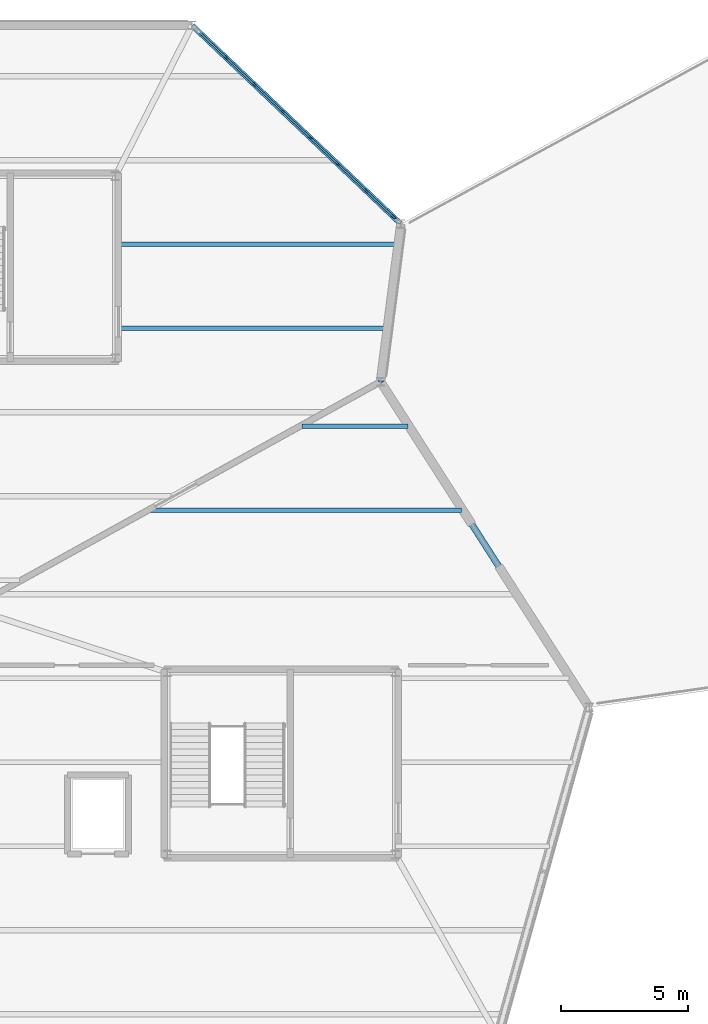
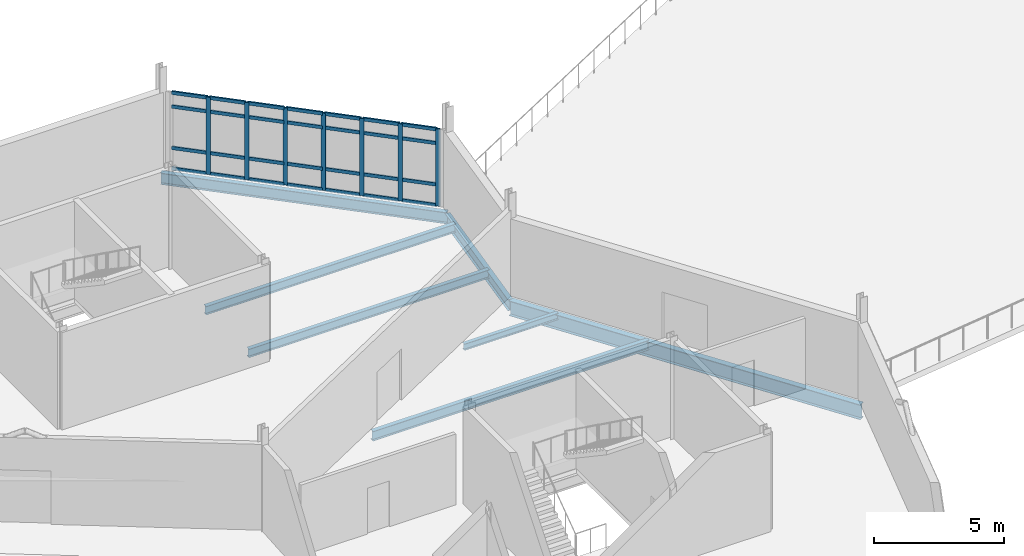
# One storey, part 43 of 76: 35 members, 7 beams, 1 element without a shape of its own.
"""IFC4 building model written with IfcOpenShell, lengths in metres."""

from ifc_helpers import new_model, si_unit, direction, frame, origin, origin_2d, place, context, subcontext, project, spatial, rectangle, i_section, extrude, material, material_profile, profile_set, type_object, element, aggregate, save


model = new_model("IFC4")

# Units and contexts
model_context = context("Model", 3, precision=1e-05, world=origin(), true_north=direction((0.0, 1.0)))
body_context = subcontext(model_context, "Body", "Model", "MODEL_VIEW")
ifc_project = project(units=[si_unit("LENGTHUNIT", "METRE"), si_unit("AREAUNIT", "SQUARE_METRE"), si_unit("VOLUMEUNIT", "CUBIC_METRE"), si_unit("PLANEANGLEUNIT", "RADIAN"), si_unit("MASSUNIT", "GRAM", prefix="KILO")], contexts=[model_context])

# Site, building, storey
site_placement = place(None, origin())
site = spatial("IfcSite", under=ifc_project, at=site_placement, CompositionType="ELEMENT")
building_placement = place(site_placement, origin())
building = spatial("IfcBuilding", under=site, at=building_placement, Name="Tameran Prism Museum", CompositionType="ELEMENT")
storey_placement = place(building_placement, frame((0.0, 0.0, 15.0)))
storey = spatial("IfcBuildingStorey", under=building, at=storey_placement, Name="L03", CompositionType="ELEMENT", Elevation=15.0)

# Beams
ifc_material_1 = material(Name="Steel Grade 300PLUS (300 MPa)", Category="steel")
ifc_material_profile_1 = material_profile(ifc_material_1, i_section(OverallWidth=0.1650390625, OverallDepth=0.303955078125, WebThickness=0.006103515625, FlangeThickness=0.01025390625, FilletRadius=0.011474609375, at=origin_2d()))
ifc_profile_set_1 = profile_set([ifc_material_profile_1])
beam_type_1 = type_object("IfcBeamType", Name="BM-J310B", PredefinedType="JOIST", material=ifc_profile_set_1)
beam_1_placement = place(storey_placement, frame((131.81689453125, 96.25, -0.35205078125), z_axis=(1.0, 0.0, 0.0), x_axis=(0.0, 1.0, 0.0)))
element("IfcBeam", 1, at=beam_1_placement, inside=storey, type_object=beam_type_1, Name="Floor Beam BM-1072", PredefinedType="JOIST", context=body_context, shape_type="SweptSolid", body=[
    extrude(i_section(OverallWidth=0.1650390625, OverallDepth=0.303955078125, WebThickness=0.006103515625, FlangeThickness=0.01025390625, FilletRadius=0.011474609375, at=origin_2d()), origin(), (0.0, 0.0, 1.0), 4.1572265625),
])
ifc_material_2 = material(Name="Steel Grade 300PLUS (300 MPa)", Category="steel")
ifc_material_profile_2 = material_profile(ifc_material_2, i_section(OverallWidth=0.177978515625, OverallDepth=0.403076171875, WebThickness=0.007568359375, FlangeThickness=0.010986328125, FilletRadius=0.011474609375, at=origin_2d()))
ifc_profile_set_2 = profile_set([ifc_material_profile_2])
beam_type_2 = type_object("IfcBeamType", Name="BM-J410B", PredefinedType="JOIST", material=ifc_profile_set_2)
beam_2_placement = place(storey_placement, frame((124.47998046875, 100.10009765625, -0.401611328125), z_axis=(1.0, 0.0, 0.0), x_axis=(0.0, 1.0, 0.0)))
element("IfcBeam", 2, at=beam_2_placement, inside=storey, type_object=beam_type_2, Name="Floor Beam BM-1077", PredefinedType="JOIST", context=body_context, shape_type="SweptSolid", body=[
    extrude(i_section(OverallWidth=0.177978515625, OverallDepth=0.403076171875, WebThickness=0.007568359375, FlangeThickness=0.010986328125, FilletRadius=0.011474609375, at=origin_2d()), origin(), (0.0, 0.0, 1.0), 10.651123046875),
])
beam_3_placement = place(storey_placement, frame((124.47998046875, 103.39990234375, -0.401611328125), z_axis=(1.0, 0.0, 0.0), x_axis=(0.0, 1.0, 0.0)))
element("IfcBeam", 3, at=beam_3_placement, inside=storey, type_object=beam_type_2, Name="Floor Beam BM-1079", PredefinedType="JOIST", context=body_context, shape_type="SweptSolid", body=[
    extrude(i_section(OverallWidth=0.177978515625, OverallDepth=0.403076171875, WebThickness=0.007568359375, FlangeThickness=0.010986328125, FilletRadius=0.011474609375, at=origin_2d()), origin(), (0.0, 0.0, 1.0), 11.075927734375),
])
ifc_material_3 = material(Name="Steel Grade 300PLUS (300 MPa)", Category="steel")
ifc_material_profile_3 = material_profile(ifc_material_3, i_section(OverallWidth=0.18994140625, OverallDepth=0.4541015625, WebThickness=0.008544921875, FlangeThickness=0.0126953125, FilletRadius=0.011474609375, at=origin_2d()))
ifc_profile_set_3 = profile_set([ifc_material_profile_3])
beam_type_3 = type_object("IfcBeamType", Name="BM-J460B", PredefinedType="JOIST", material=ifc_profile_set_3)
beam_4_placement = place(storey_placement, frame((125.846923828125, 92.949951171875, -0.427001953125), z_axis=(1.0, 0.0, 0.0), x_axis=(0.0, 1.0, 0.0)))
element("IfcBeam", 4, at=beam_4_placement, inside=storey, type_object=beam_type_3, Name="Floor Beam BM-1071", PredefinedType="JOIST", context=body_context, shape_type="SweptSolid", body=[
    extrude(i_section(OverallWidth=0.18994140625, OverallDepth=0.4541015625, WebThickness=0.008544921875, FlangeThickness=0.0126953125, FilletRadius=0.011474609375, at=origin_2d()), origin(), (0.0, 0.0, 1.0), 12.240966796875),
])
ifc_material_4 = material(Name="Steel Grade 300PLUS (300 MPa)", Category="steel")
ifc_material_profile_4 = material_profile(ifc_material_4, i_section(OverallWidth=0.208984375, OverallDepth=0.532958984375, WebThickness=0.01025390625, FlangeThickness=0.015625, FilletRadius=0.013916015625, at=origin_2d()))
ifc_profile_set_4 = profile_set([ifc_material_profile_4])
beam_type_4 = type_object("IfcBeamType", Name="BM-SP530A", PredefinedType="SPANDREL", material=ifc_profile_set_4)
beam_5_placement = place(storey_placement, frame((135.699951171875, 104.199951171875, -0.466552734375), z_axis=(-0.724553857676, 0.689218185575, 0.0), x_axis=(-0.689218185575, -0.724553857676, 0.0)))
element("IfcBeam", 5, at=beam_5_placement, inside=storey, type_object=beam_type_4, Name="Perimeter Spandrel SP-0951", PredefinedType="SPANDREL", context=body_context, shape_type="SweptSolid", body=[
    extrude(i_section(OverallWidth=0.208984375, OverallDepth=0.532958984375, WebThickness=0.01025390625, FlangeThickness=0.015625, FilletRadius=0.013916015625, at=origin_2d()), origin(), (0.0, 0.0, 1.0), 11.317138671875),
])
ifc_material_5 = material(Name="Steel Grade 300PLUS (300 MPa)", Category="steel")
ifc_material_profile_5 = material_profile(ifc_material_5, i_section(OverallWidth=0.208984375, OverallDepth=0.528076171875, WebThickness=0.009521484375, FlangeThickness=0.01318359375, FilletRadius=0.013916015625, at=origin_2d()))
ifc_profile_set_5 = profile_set([ifc_material_profile_5])
beam_type_5 = type_object("IfcBeamType", Name="BM-SP530B", PredefinedType="SPANDREL", material=ifc_profile_set_5)
beam_6_placement = place(storey_placement, frame((134.89990234375, 98.0, -0.5439453125), z_axis=(0.127980011854, 0.991776747341, 0.0), x_axis=(-0.991776747341, 0.127980011854, 0.0)))
element("IfcBeam", 6, at=beam_6_placement, inside=storey, type_object=beam_type_5, Name="Perimeter Spandrel SP-0950", PredefinedType="SPANDREL", context=body_context, shape_type="SweptSolid", body=[
    extrude(i_section(OverallWidth=0.208984375, OverallDepth=0.528076171875, WebThickness=0.009521484375, FlangeThickness=0.01318359375, FilletRadius=0.013916015625, at=origin_2d()), origin(), (0.0, 0.0, 1.0), 6.25146484375),
])
ifc_material_6 = material(Name="Steel Grade 350 (350 MPa)", Category="steel")
ifc_material_profile_6 = material_profile(ifc_material_6, i_section(OverallWidth=0.25, OverallDepth=0.699951171875, WebThickness=0.010009765625, FlangeThickness=0.02001953125, at=origin_2d()))
ifc_profile_set_6 = profile_set([ifc_material_profile_6])
beam_type_6 = type_object("IfcBeamType", Name="BM-SP700", PredefinedType="SPANDREL", material=ifc_profile_set_6)
beam_7_placement = place(storey_placement, frame((143.10009765625, 85.199951171875, -0.6298828125), z_axis=(-0.539434641352, 0.842027474439, 0.0), x_axis=(-0.842027474439, -0.539434641352, 0.0)))
element("IfcBeam", 7, at=beam_7_placement, inside=storey, type_object=beam_type_6, Name="Perimeter Spandrel SP-0948", PredefinedType="SPANDREL", context=body_context, shape_type="SweptSolid", body=[
    extrude(i_section(OverallWidth=0.25, OverallDepth=0.699951171875, WebThickness=0.010009765625, FlangeThickness=0.02001953125, at=origin_2d()), origin(), (0.0, 0.0, 1.0), 15.201416015625),
])

# Curtain wall, members
ifc_material_7 = material(Name="Anodised Aluminium 6063-T6 and Cyclone Solar Glass", Category="aluminium")
curtain_wall_type = type_object("IfcCurtainWallType", Name="CW-FAC-1062x362", PredefinedType="USERDEFINED", material=ifc_material_7)
curtain_wall_placement = place(storey_placement, origin())
curtain_wall = element("IfcCurtainWall", 8, at=curtain_wall_placement, inside=storey, type_object=curtain_wall_type, Name="Unitised Curtain Wall CW-132", ObjectType="UNITISED CURTAIN WALL", PredefinedType="USERDEFINED")
ifc_material_8 = material(Name="Anodised Aluminium Alloy 6063-T6", Category="aluminium")
ifc_material_profile_7 = material_profile(ifc_material_8, rectangle(XDim=0.070068359375, YDim=0.179931640625, at=origin_2d()))
ifc_profile_set_7 = profile_set([ifc_material_profile_7])
member_type_1 = type_object("IfcMemberType", Name="CW-MUL-B", PredefinedType="MULLION", material=ifc_profile_set_7)
member_1_placement = place(storey_placement, frame((128.852783203125, 110.713623046875, 0.0), z_axis=(0.0, 0.0, 1.0), x_axis=(0.689274065662, 0.724500698692, 0.0)))
member_1 = element("IfcMember", 9, at=member_1_placement, type_object=member_type_1, Name="CW-132 mullion 2", PredefinedType="MULLION", context=body_context, shape_type="SweptSolid", body=[
    extrude(rectangle(XDim=0.070068359375, YDim=0.179931640625, at=origin_2d()), origin(), (0.0, 0.0, 1.0), 3.6201171875),
])
member_2_placement = place(storey_placement, frame((129.95166015625, 109.668212890625, 0.0), z_axis=(0.0, 0.0, 1.0), x_axis=(0.689274065662, 0.724500698692, 0.0)))
member_2 = element("IfcMember", 10, at=member_2_placement, type_object=member_type_1, Name="CW-132 mullion 3", PredefinedType="MULLION", context=body_context, shape_type="SweptSolid", body=[
    extrude(rectangle(XDim=0.070068359375, YDim=0.179931640625, at=origin_2d()), origin(), (0.0, 0.0, 1.0), 3.6201171875),
])
member_3_placement = place(storey_placement, frame((131.050537109375, 108.622802734375, 0.0), z_axis=(0.0, 0.0, 1.0), x_axis=(0.689274065662, 0.724500698692, 0.0)))
member_3 = element("IfcMember", 11, at=member_3_placement, type_object=member_type_1, Name="CW-132 mullion 4", PredefinedType="MULLION", context=body_context, shape_type="SweptSolid", body=[
    extrude(rectangle(XDim=0.070068359375, YDim=0.179931640625, at=origin_2d()), origin(), (0.0, 0.0, 1.0), 3.6201171875),
])
member_4_placement = place(storey_placement, frame((132.1494140625, 107.577392578125, 0.0), z_axis=(0.0, 0.0, 1.0), x_axis=(0.689274065662, 0.724500698692, 0.0)))
member_4 = element("IfcMember", 12, at=member_4_placement, type_object=member_type_1, Name="CW-132 mullion 5", PredefinedType="MULLION", context=body_context, shape_type="SweptSolid", body=[
    extrude(rectangle(XDim=0.070068359375, YDim=0.179931640625, at=origin_2d()), origin(), (0.0, 0.0, 1.0), 3.6201171875),
])
member_5_placement = place(storey_placement, frame((133.248291015625, 106.53173828125, 0.0), z_axis=(0.0, 0.0, 1.0), x_axis=(0.689274065662, 0.724500698692, 0.0)))
member_5 = element("IfcMember", 13, at=member_5_placement, type_object=member_type_1, Name="CW-132 mullion 6", PredefinedType="MULLION", context=body_context, shape_type="SweptSolid", body=[
    extrude(rectangle(XDim=0.070068359375, YDim=0.179931640625, at=origin_2d()), origin(), (0.0, 0.0, 1.0), 3.6201171875),
])
member_6_placement = place(storey_placement, frame((134.34716796875, 105.486328125, 0.0), z_axis=(0.0, 0.0, 1.0), x_axis=(0.689274065662, 0.724500698692, 0.0)))
member_6 = element("IfcMember", 14, at=member_6_placement, type_object=member_type_1, Name="CW-132 mullion 7", PredefinedType="MULLION", context=body_context, shape_type="SweptSolid", body=[
    extrude(rectangle(XDim=0.070068359375, YDim=0.179931640625, at=origin_2d()), origin(), (0.0, 0.0, 1.0), 3.6201171875),
])
member_7_placement = place(storey_placement, frame((135.420654296875, 104.465087890625, 0.0), z_axis=(0.0, 0.0, 1.0), x_axis=(0.689274065662, 0.724500698692, 0.0)))
member_7 = element("IfcMember", 15, at=member_7_placement, type_object=member_type_1, Name="CW-132 mullion 8", PredefinedType="MULLION", context=body_context, shape_type="SweptSolid", body=[
    extrude(rectangle(XDim=0.070068359375, YDim=0.179931640625, at=origin_2d()), origin(), (0.0, 0.0, 1.0), 3.6201171875),
])
ifc_material_9 = material(Name="Anodised Aluminium Alloy 6063-T6", Category="aluminium")
ifc_material_profile_8 = material_profile(ifc_material_9, rectangle(XDim=0.070068359375, YDim=0.155029296875, at=origin_2d()))
ifc_profile_set_8 = profile_set([ifc_material_profile_8])
member_type_2 = type_object("IfcMemberType", Name="CW-TRN-B", PredefinedType="USERDEFINED", material=ifc_profile_set_8)
member_8_placement = place(storey_placement, frame((127.8046875, 111.710693359375, 0.034912109375), z_axis=(0.724528568195, -0.689244770651, 0.0), x_axis=(0.689244770651, 0.724528568195, 0.0)))
member_8 = element("IfcMember", 16, at=member_8_placement, type_object=member_type_2, Name="CW-132 transom 1.1", ObjectType="TRANSOM", PredefinedType="USERDEFINED", context=body_context, shape_type="SweptSolid", body=[
    extrude(rectangle(XDim=0.070068359375, YDim=0.155029296875, at=origin_2d()), origin(), (0.0, 0.0, 1.0), 1.41162109375),
])
member_9_placement = place(storey_placement, frame((127.8046875, 111.710693359375, 1.0), z_axis=(0.724528568195, -0.689244770651, 0.0), x_axis=(0.689244770651, 0.724528568195, 0.0)))
member_9 = element("IfcMember", 17, at=member_9_placement, type_object=member_type_2, Name="CW-132 transom 1.2", ObjectType="TRANSOM", PredefinedType="USERDEFINED", context=body_context, shape_type="SweptSolid", body=[
    extrude(rectangle(XDim=0.070068359375, YDim=0.155029296875, at=origin_2d()), origin(), (0.0, 0.0, 1.0), 1.41162109375),
])
member_10_placement = place(storey_placement, frame((127.8046875, 111.710693359375, 2.93994140625), z_axis=(0.724528568195, -0.689244770651, 0.0), x_axis=(0.689244770651, 0.724528568195, 0.0)))
member_10 = element("IfcMember", 18, at=member_10_placement, type_object=member_type_2, Name="CW-132 transom 1.3", ObjectType="TRANSOM", PredefinedType="USERDEFINED", context=body_context, shape_type="SweptSolid", body=[
    extrude(rectangle(XDim=0.070068359375, YDim=0.155029296875, at=origin_2d()), origin(), (0.0, 0.0, 1.0), 1.41162109375),
])
member_11_placement = place(storey_placement, frame((127.8046875, 111.710693359375, 3.5849609375), z_axis=(0.724528568195, -0.689244770651, 0.0), x_axis=(0.689244770651, 0.724528568195, 0.0)))
member_11 = element("IfcMember", 19, at=member_11_placement, type_object=member_type_2, Name="CW-132 transom 1.4", ObjectType="TRANSOM", PredefinedType="USERDEFINED", context=body_context, shape_type="SweptSolid", body=[
    extrude(rectangle(XDim=0.070068359375, YDim=0.155029296875, at=origin_2d()), origin(), (0.0, 0.0, 1.0), 1.41162109375),
])
member_12_placement = place(storey_placement, frame((128.878173828125, 110.689453125, 0.034912109375), z_axis=(0.724523115878, -0.689250502037, 0.0), x_axis=(0.689250502037, 0.724523115878, 0.0)))
member_12 = element("IfcMember", 20, at=member_12_placement, type_object=member_type_2, Name="CW-132 transom 2.1", ObjectType="TRANSOM", PredefinedType="USERDEFINED", context=body_context, shape_type="SweptSolid", body=[
    extrude(rectangle(XDim=0.070068359375, YDim=0.155029296875, at=origin_2d()), origin(), (0.0, 0.0, 1.0), 1.446533203125),
])
member_13_placement = place(storey_placement, frame((128.878173828125, 110.689453125, 1.0), z_axis=(0.724523115878, -0.689250502037, 0.0), x_axis=(0.689250502037, 0.724523115878, 0.0)))
member_13 = element("IfcMember", 21, at=member_13_placement, type_object=member_type_2, Name="CW-132 transom 2.2", ObjectType="TRANSOM", PredefinedType="USERDEFINED", context=body_context, shape_type="SweptSolid", body=[
    extrude(rectangle(XDim=0.070068359375, YDim=0.155029296875, at=origin_2d()), origin(), (0.0, 0.0, 1.0), 1.446533203125),
])
member_14_placement = place(storey_placement, frame((128.878173828125, 110.689453125, 2.93994140625), z_axis=(0.724523115878, -0.689250502037, 0.0), x_axis=(0.689250502037, 0.724523115878, 0.0)))
member_14 = element("IfcMember", 22, at=member_14_placement, type_object=member_type_2, Name="CW-132 transom 2.3", ObjectType="TRANSOM", PredefinedType="USERDEFINED", context=body_context, shape_type="SweptSolid", body=[
    extrude(rectangle(XDim=0.070068359375, YDim=0.155029296875, at=origin_2d()), origin(), (0.0, 0.0, 1.0), 1.446533203125),
])
member_15_placement = place(storey_placement, frame((128.878173828125, 110.689453125, 3.5849609375), z_axis=(0.724523115878, -0.689250502037, 0.0), x_axis=(0.689250502037, 0.724523115878, 0.0)))
member_15 = element("IfcMember", 23, at=member_15_placement, type_object=member_type_2, Name="CW-132 transom 2.4", ObjectType="TRANSOM", PredefinedType="USERDEFINED", context=body_context, shape_type="SweptSolid", body=[
    extrude(rectangle(XDim=0.070068359375, YDim=0.155029296875, at=origin_2d()), origin(), (0.0, 0.0, 1.0), 1.446533203125),
])
member_16_placement = place(storey_placement, frame((129.97705078125, 109.64404296875, 0.034912109375), z_axis=(0.72443884101, -0.689339078855, 0.0), x_axis=(0.689339078855, 0.72443884101, 0.0)))
member_16 = element("IfcMember", 24, at=member_16_placement, type_object=member_type_2, Name="CW-132 transom 3.1", ObjectType="TRANSOM", PredefinedType="USERDEFINED", context=body_context, shape_type="SweptSolid", body=[
    extrude(rectangle(XDim=0.070068359375, YDim=0.155029296875, at=origin_2d()), origin(), (0.0, 0.0, 1.0), 1.44677734375),
])
member_17_placement = place(storey_placement, frame((129.97705078125, 109.64404296875, 1.0), z_axis=(0.72443884101, -0.689339078855, 0.0), x_axis=(0.689339078855, 0.72443884101, 0.0)))
member_17 = element("IfcMember", 25, at=member_17_placement, type_object=member_type_2, Name="CW-132 transom 3.2", ObjectType="TRANSOM", PredefinedType="USERDEFINED", context=body_context, shape_type="SweptSolid", body=[
    extrude(rectangle(XDim=0.070068359375, YDim=0.155029296875, at=origin_2d()), origin(), (0.0, 0.0, 1.0), 1.44677734375),
])
member_18_placement = place(storey_placement, frame((129.97705078125, 109.64404296875, 2.93994140625), z_axis=(0.72443884101, -0.689339078855, 0.0), x_axis=(0.689339078855, 0.72443884101, 0.0)))
member_18 = element("IfcMember", 26, at=member_18_placement, type_object=member_type_2, Name="CW-132 transom 3.3", ObjectType="TRANSOM", PredefinedType="USERDEFINED", context=body_context, shape_type="SweptSolid", body=[
    extrude(rectangle(XDim=0.070068359375, YDim=0.155029296875, at=origin_2d()), origin(), (0.0, 0.0, 1.0), 1.44677734375),
])
member_19_placement = place(storey_placement, frame((129.97705078125, 109.64404296875, 3.5849609375), z_axis=(0.72443884101, -0.689339078855, 0.0), x_axis=(0.689339078855, 0.72443884101, 0.0)))
member_19 = element("IfcMember", 27, at=member_19_placement, type_object=member_type_2, Name="CW-132 transom 3.4", ObjectType="TRANSOM", PredefinedType="USERDEFINED", context=body_context, shape_type="SweptSolid", body=[
    extrude(rectangle(XDim=0.070068359375, YDim=0.155029296875, at=origin_2d()), origin(), (0.0, 0.0, 1.0), 1.44677734375),
])
member_20_placement = place(storey_placement, frame((131.075927734375, 108.5986328125, 0.034912109375), z_axis=(0.72443884101, -0.689339078855, 0.0), x_axis=(0.689339078855, 0.72443884101, 0.0)))
member_20 = element("IfcMember", 28, at=member_20_placement, type_object=member_type_2, Name="CW-132 transom 4.1", ObjectType="TRANSOM", PredefinedType="USERDEFINED", context=body_context, shape_type="SweptSolid", body=[
    extrude(rectangle(XDim=0.070068359375, YDim=0.155029296875, at=origin_2d()), origin(), (0.0, 0.0, 1.0), 1.44677734375),
])
member_21_placement = place(storey_placement, frame((131.075927734375, 108.5986328125, 1.0), z_axis=(0.72443884101, -0.689339078855, 0.0), x_axis=(0.689339078855, 0.72443884101, 0.0)))
member_21 = element("IfcMember", 29, at=member_21_placement, type_object=member_type_2, Name="CW-132 transom 4.2", ObjectType="TRANSOM", PredefinedType="USERDEFINED", context=body_context, shape_type="SweptSolid", body=[
    extrude(rectangle(XDim=0.070068359375, YDim=0.155029296875, at=origin_2d()), origin(), (0.0, 0.0, 1.0), 1.44677734375),
])
member_22_placement = place(storey_placement, frame((131.075927734375, 108.5986328125, 2.93994140625), z_axis=(0.72443884101, -0.689339078855, 0.0), x_axis=(0.689339078855, 0.72443884101, 0.0)))
member_22 = element("IfcMember", 30, at=member_22_placement, type_object=member_type_2, Name="CW-132 transom 4.3", ObjectType="TRANSOM", PredefinedType="USERDEFINED", context=body_context, shape_type="SweptSolid", body=[
    extrude(rectangle(XDim=0.070068359375, YDim=0.155029296875, at=origin_2d()), origin(), (0.0, 0.0, 1.0), 1.44677734375),
])
member_23_placement = place(storey_placement, frame((131.075927734375, 108.5986328125, 3.5849609375), z_axis=(0.72443884101, -0.689339078855, 0.0), x_axis=(0.689339078855, 0.72443884101, 0.0)))
member_23 = element("IfcMember", 31, at=member_23_placement, type_object=member_type_2, Name="CW-132 transom 4.4", ObjectType="TRANSOM", PredefinedType="USERDEFINED", context=body_context, shape_type="SweptSolid", body=[
    extrude(rectangle(XDim=0.070068359375, YDim=0.155029296875, at=origin_2d()), origin(), (0.0, 0.0, 1.0), 1.44677734375),
])
member_24_placement = place(storey_placement, frame((132.1748046875, 107.55322265625, 0.034912109375), z_axis=(0.72443884101, -0.689339078855, 0.0), x_axis=(0.689339078855, 0.72443884101, 0.0)))
member_24 = element("IfcMember", 32, at=member_24_placement, type_object=member_type_2, Name="CW-132 transom 5.1", ObjectType="TRANSOM", PredefinedType="USERDEFINED", context=body_context, shape_type="SweptSolid", body=[
    extrude(rectangle(XDim=0.070068359375, YDim=0.155029296875, at=origin_2d()), origin(), (0.0, 0.0, 1.0), 1.44677734375),
])
member_25_placement = place(storey_placement, frame((132.1748046875, 107.55322265625, 1.0), z_axis=(0.72443884101, -0.689339078855, 0.0), x_axis=(0.689339078855, 0.72443884101, 0.0)))
member_25 = element("IfcMember", 33, at=member_25_placement, type_object=member_type_2, Name="CW-132 transom 5.2", ObjectType="TRANSOM", PredefinedType="USERDEFINED", context=body_context, shape_type="SweptSolid", body=[
    extrude(rectangle(XDim=0.070068359375, YDim=0.155029296875, at=origin_2d()), origin(), (0.0, 0.0, 1.0), 1.44677734375),
])
member_26_placement = place(storey_placement, frame((132.1748046875, 107.55322265625, 2.93994140625), z_axis=(0.72443884101, -0.689339078855, 0.0), x_axis=(0.689339078855, 0.72443884101, 0.0)))
member_26 = element("IfcMember", 34, at=member_26_placement, type_object=member_type_2, Name="CW-132 transom 5.3", ObjectType="TRANSOM", PredefinedType="USERDEFINED", context=body_context, shape_type="SweptSolid", body=[
    extrude(rectangle(XDim=0.070068359375, YDim=0.155029296875, at=origin_2d()), origin(), (0.0, 0.0, 1.0), 1.44677734375),
])
member_27_placement = place(storey_placement, frame((132.1748046875, 107.55322265625, 3.5849609375), z_axis=(0.72443884101, -0.689339078855, 0.0), x_axis=(0.689339078855, 0.72443884101, 0.0)))
member_27 = element("IfcMember", 35, at=member_27_placement, type_object=member_type_2, Name="CW-132 transom 5.4", ObjectType="TRANSOM", PredefinedType="USERDEFINED", context=body_context, shape_type="SweptSolid", body=[
    extrude(rectangle(XDim=0.070068359375, YDim=0.155029296875, at=origin_2d()), origin(), (0.0, 0.0, 1.0), 1.44677734375),
])
member_28_placement = place(storey_placement, frame((133.273681640625, 106.5078125, 0.034912109375), z_axis=(0.72443884101, -0.689339078855, 0.0), x_axis=(0.689339078855, 0.72443884101, 0.0)))
member_28 = element("IfcMember", 36, at=member_28_placement, type_object=member_type_2, Name="CW-132 transom 6.1", ObjectType="TRANSOM", PredefinedType="USERDEFINED", context=body_context, shape_type="SweptSolid", body=[
    extrude(rectangle(XDim=0.070068359375, YDim=0.155029296875, at=origin_2d()), origin(), (0.0, 0.0, 1.0), 1.44677734375),
])
member_29_placement = place(storey_placement, frame((133.273681640625, 106.5078125, 1.0), z_axis=(0.72443884101, -0.689339078855, 0.0), x_axis=(0.689339078855, 0.72443884101, 0.0)))
member_29 = element("IfcMember", 37, at=member_29_placement, type_object=member_type_2, Name="CW-132 transom 6.2", ObjectType="TRANSOM", PredefinedType="USERDEFINED", context=body_context, shape_type="SweptSolid", body=[
    extrude(rectangle(XDim=0.070068359375, YDim=0.155029296875, at=origin_2d()), origin(), (0.0, 0.0, 1.0), 1.44677734375),
])
member_30_placement = place(storey_placement, frame((133.273681640625, 106.5078125, 2.93994140625), z_axis=(0.72443884101, -0.689339078855, 0.0), x_axis=(0.689339078855, 0.72443884101, 0.0)))
member_30 = element("IfcMember", 38, at=member_30_placement, type_object=member_type_2, Name="CW-132 transom 6.3", ObjectType="TRANSOM", PredefinedType="USERDEFINED", context=body_context, shape_type="SweptSolid", body=[
    extrude(rectangle(XDim=0.070068359375, YDim=0.155029296875, at=origin_2d()), origin(), (0.0, 0.0, 1.0), 1.44677734375),
])
member_31_placement = place(storey_placement, frame((133.273681640625, 106.5078125, 3.5849609375), z_axis=(0.72443884101, -0.689339078855, 0.0), x_axis=(0.689339078855, 0.72443884101, 0.0)))
member_31 = element("IfcMember", 39, at=member_31_placement, type_object=member_type_2, Name="CW-132 transom 6.4", ObjectType="TRANSOM", PredefinedType="USERDEFINED", context=body_context, shape_type="SweptSolid", body=[
    extrude(rectangle(XDim=0.070068359375, YDim=0.155029296875, at=origin_2d()), origin(), (0.0, 0.0, 1.0), 1.44677734375),
])
member_32_placement = place(storey_placement, frame((134.37255859375, 105.46240234375, 0.034912109375), z_axis=(0.72444220057, -0.689335548215, 0.0), x_axis=(0.689335548215, 0.72444220057, 0.0)))
member_32 = element("IfcMember", 40, at=member_32_placement, type_object=member_type_2, Name="CW-132 transom 7.1", ObjectType="TRANSOM", PredefinedType="USERDEFINED", context=body_context, shape_type="SweptSolid", body=[
    extrude(rectangle(XDim=0.070068359375, YDim=0.155029296875, at=origin_2d()), origin(), (0.0, 0.0, 1.0), 1.41162109375),
])
member_33_placement = place(storey_placement, frame((134.37255859375, 105.46240234375, 1.0), z_axis=(0.72444220057, -0.689335548215, 0.0), x_axis=(0.689335548215, 0.72444220057, 0.0)))
member_33 = element("IfcMember", 41, at=member_33_placement, type_object=member_type_2, Name="CW-132 transom 7.2", ObjectType="TRANSOM", PredefinedType="USERDEFINED", context=body_context, shape_type="SweptSolid", body=[
    extrude(rectangle(XDim=0.070068359375, YDim=0.155029296875, at=origin_2d()), origin(), (0.0, 0.0, 1.0), 1.41162109375),
])
member_34_placement = place(storey_placement, frame((134.37255859375, 105.46240234375, 2.93994140625), z_axis=(0.72444220057, -0.689335548215, 0.0), x_axis=(0.689335548215, 0.72444220057, 0.0)))
member_34 = element("IfcMember", 42, at=member_34_placement, type_object=member_type_2, Name="CW-132 transom 7.3", ObjectType="TRANSOM", PredefinedType="USERDEFINED", context=body_context, shape_type="SweptSolid", body=[
    extrude(rectangle(XDim=0.070068359375, YDim=0.155029296875, at=origin_2d()), origin(), (0.0, 0.0, 1.0), 1.41162109375),
])
member_35_placement = place(storey_placement, frame((134.37255859375, 105.46240234375, 3.5849609375), z_axis=(0.72444220057, -0.689335548215, 0.0), x_axis=(0.689335548215, 0.72444220057, 0.0)))
member_35 = element("IfcMember", 43, at=member_35_placement, type_object=member_type_2, Name="CW-132 transom 7.4", ObjectType="TRANSOM", PredefinedType="USERDEFINED", context=body_context, shape_type="SweptSolid", body=[
    extrude(rectangle(XDim=0.070068359375, YDim=0.155029296875, at=origin_2d()), origin(), (0.0, 0.0, 1.0), 1.41162109375),
])
aggregate(curtain_wall, [member_1, member_2, member_3, member_4, member_5, member_6, member_7, member_8, member_9, member_10, member_11, member_12, member_13, member_14, member_15, member_16, member_17, member_18, member_19, member_20, member_21, member_22, member_23, member_24, member_25, member_26, member_27, member_28, member_29, member_30, member_31, member_32, member_33, member_34, member_35])

save(model, "model.ifc")
